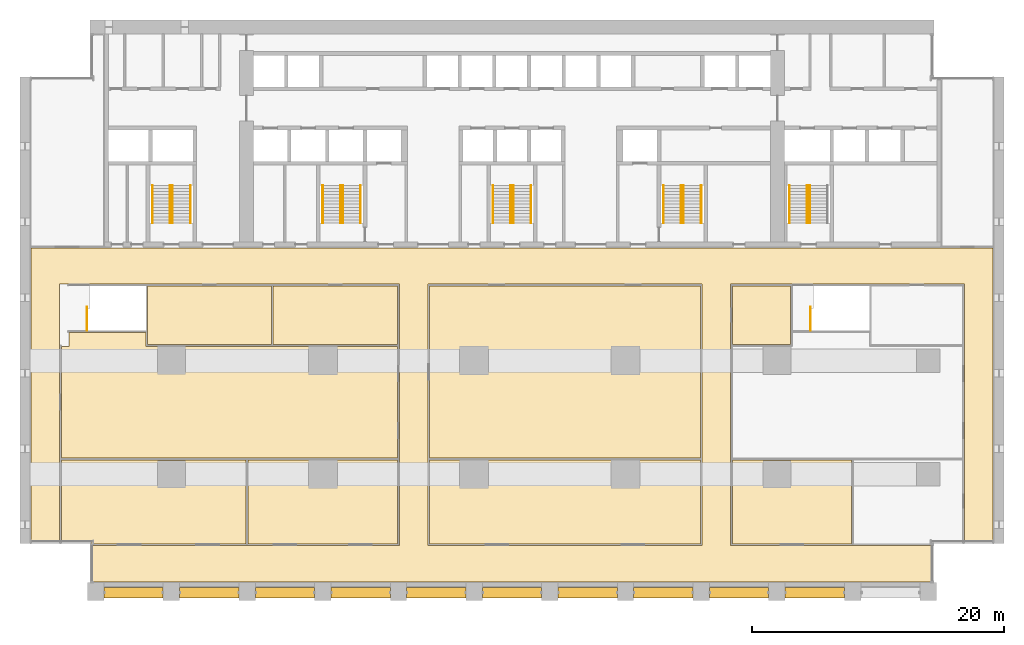
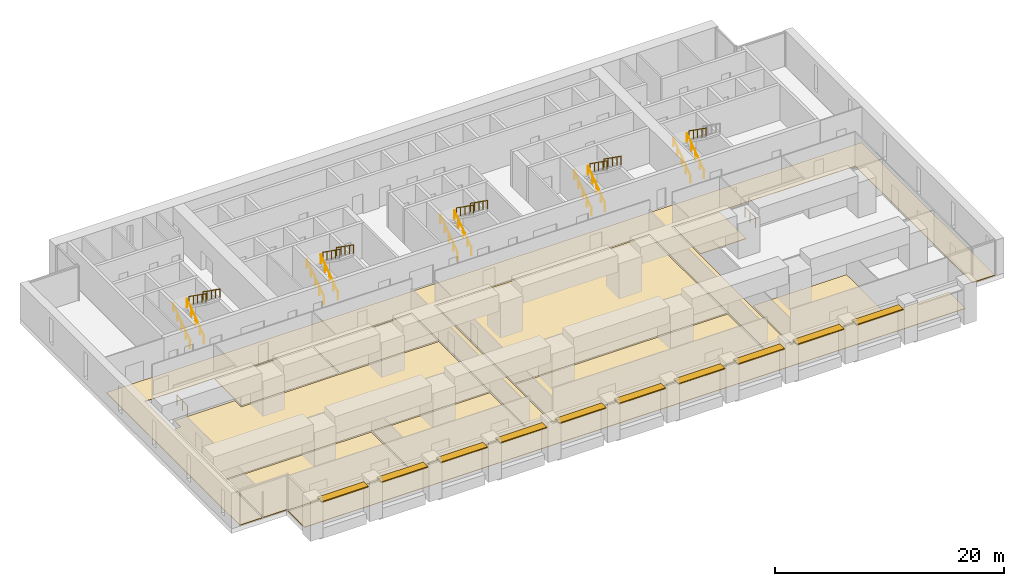
# One storey, part 16 of 17: 21 railings, 10 coverings, 10 shading devices, 5 elements without a shape of their own.
"""IFC4 building model written with IfcOpenShell, lengths in metres."""

from ifc_helpers import new_model, si_unit, direction, frame, origin, origin_2d, place, context, subcontext, project, spatial, polyline, rectangle, circle, outline, extrude, material, layer, layer_set, material_profile, profile_set, type_object, element, aggregate, save


model = new_model("IFC4")

# Units and contexts
model_context = context("Model", 3, precision=1e-05, world=origin(), true_north=direction((0.0, 1.0)))
body_context = subcontext(model_context, "Body", "Model", "MODEL_VIEW")
ifc_project = project(units=[si_unit("LENGTHUNIT", "METRE"), si_unit("AREAUNIT", "SQUARE_METRE"), si_unit("VOLUMEUNIT", "CUBIC_METRE"), si_unit("PLANEANGLEUNIT", "RADIAN"), si_unit("MASSUNIT", "GRAM", prefix="KILO")], contexts=[model_context])

# Site, building, storey
site_placement = place(None, origin())
site = spatial("IfcSite", under=ifc_project, at=site_placement, CompositionType="ELEMENT")
building_placement = place(site_placement, origin())
building = spatial("IfcBuilding", under=site, at=building_placement, Name="Calvaro Tower", CompositionType="ELEMENT")
storey_placement = place(building_placement, frame((0.0, 0.0, 17.89990234375)))
storey = spatial("IfcBuildingStorey", under=building, at=storey_placement, Name="L03", CompositionType="ELEMENT", Elevation=17.89990234375)

# Shading devices
ifc_material_1 = material(Name="Anodised aluminium", Category="aluminium")
ifc_material_profile = material_profile(ifc_material_1, rectangle(XDim=0.800048828125, YDim=0.10009765625, at=origin_2d()), Name="Brise-soleil blade 800 x 100")
ifc_profile_set = profile_set([ifc_material_profile], Name="Anodised aluminium")
shading_device_type = type_object("IfcShadingDeviceType", Name="Brise-soleil blade 800 x 100", PredefinedType="JALOUSIE", material=ifc_profile_set)
for number, where, z_axis, x_axis, name in (
    (1, (6.64990234375, 0.60009765625, 3.150146484375), (1.0, 0.0, 0.0), (0.0, 1.0, 0.0), "Brise-soleil blade 1"),
    (2, (12.64990234375, 0.60009765625, 3.150146484375), (1.0, 0.0, 0.0), (0.0, 1.0, 0.0), "Brise-soleil blade 2"),
    (3, (18.64990234375, 0.60009765625, 3.150146484375), (1.0, 0.0, 0.0), (0.0, 1.0, 0.0), "Brise-soleil blade 3"),
    (4, (24.64990234375, 0.60009765625, 3.150146484375), (1.0, 0.0, 0.0), (0.0, 1.0, 0.0), "Brise-soleil blade 4"),
    (5, (30.64990234375, 0.60009765625, 3.150146484375), (1.0, 0.0, 0.0), (0.0, 1.0, 0.0), "Brise-soleil blade 5"),
    (6, (36.64990234375, 0.60009765625, 3.150146484375), (1.0, 0.0, 0.0), (0.0, 1.0, 0.0), "Brise-soleil blade 6"),
    (7, (42.64990234375, 0.60009765625, 3.150146484375), (1.0, 0.0, 0.0), (0.0, 1.0, 0.0), "Brise-soleil blade 7"),
    (8, (48.64990234375, 0.60009765625, 3.150146484375), (1.0, 0.0, 0.0), (0.0, 1.0, 0.0), "Brise-soleil blade 8"),
    (9, (54.64990234375, 0.60009765625, 3.150146484375), (1.0, 0.0, 0.0), (0.0, 1.0, 0.0), "Brise-soleil blade 9"),
    (10, (60.64990234375, 0.60009765625, 3.150146484375), (1.0, 0.0, 0.0), (0.0, 1.0, 0.0), "Brise-soleil blade 10"),
):
    element("IfcShadingDevice", number, at=place(storey_placement, frame(where, z_axis=z_axis, x_axis=x_axis)), inside=storey, type_object=shading_device_type, Name=name, PredefinedType="JALOUSIE", context=body_context, shape_type="SweptSolid", body=[
        extrude(rectangle(XDim=0.800048828125, YDim=0.10009765625, at=origin_2d()), origin(), (0.0, 0.0, 1.0), 4.7001953125),
    ])

# Coverings
ifc_material_2 = material(Name="Cement screed with carpet tile finish")
ifc_layer = layer(ifc_material_2, 0.050048828125)
ifc_layer_set = layer_set([ifc_layer], Name="Cement screed with carpet tile finish")
covering_type = type_object("IfcCoveringType", Name="Floor finish 50", PredefinedType="FLOORING", material=ifc_layer_set)
covering_1_placement = place(storey_placement, origin())
element("IfcCovering", 11, at=covering_1_placement, inside=storey, type_object=covering_type, Name="Floor finish 06.01", PredefinedType="FLOORING", context=body_context, shape_type="SweptSolid", body=[
    extrude(outline(polyline([(5.6201171875, 1.469970703125), (5.6201171875, 4.330078125), (30.070068359375, 4.330078125), (30.070068359375, 25.070068359375), (3.1298828125, 25.070068359375), (3.1298828125, 4.570068359375), (0.8701171875, 4.570068359375), (0.8701171875, 27.929931640625), (77.1298828125, 27.929931640625), (77.1298828125, 4.570068359375), (74.8701171875, 4.570068359375), (74.8701171875, 25.070068359375), (56.330078125, 25.070068359375), (56.330078125, 4.330078125), (72.3798828125, 4.330078125), (72.3798828125, 1.469970703125), (5.6201171875, 1.469970703125)]), holes=[polyline([(54.070068359375, 4.330078125), (54.070068359375, 25.070068359375), (32.330078125, 25.070068359375), (32.330078125, 4.330078125), (54.070068359375, 4.330078125)])]), origin(), (0.0, 0.0, 1.0), 0.050048828125),
])
covering_2_placement = place(storey_placement, origin())
element("IfcCovering", 12, at=covering_2_placement, inside=storey, type_object=covering_type, Name="Floor finish 06.02", PredefinedType="FLOORING", context=body_context, shape_type="SweptSolid", body=[
    extrude(outline(polyline([(3.27001953125, 11.1298828125), (17.929931640625, 11.1298828125), (17.929931640625, 4.469970703125), (5.6201171875, 4.469970703125), (5.6201171875, 4.570068359375), (3.27001953125, 4.570068359375), (3.27001953125, 11.1298828125)])), origin(), (0.0, 0.0, 1.0), 0.050048828125),
])
covering_3_placement = place(storey_placement, origin())
element("IfcCovering", 13, at=covering_3_placement, inside=storey, type_object=covering_type, Name="Floor finish 06.03", PredefinedType="FLOORING", context=body_context, shape_type="SweptSolid", body=[
    extrude(outline(polyline([(18.070068359375, 4.469970703125), (18.070068359375, 11.1298828125), (29.929931640625, 11.1298828125), (29.929931640625, 4.469970703125), (18.070068359375, 4.469970703125)])), origin(), (0.0, 0.0, 1.0), 0.050048828125),
])
covering_4_placement = place(storey_placement, origin())
element("IfcCovering", 14, at=covering_4_placement, inside=storey, type_object=covering_type, Name="Floor finish 06.07", PredefinedType="FLOORING", context=body_context, shape_type="SweptSolid", body=[
    extrude(outline(polyline([(3.27001953125, 20.1298828125), (3.8701171875, 20.1298828125), (3.8701171875, 21.22998046875), (9.97998046875, 21.22998046875), (9.97998046875, 20.1298828125), (29.929931640625, 20.1298828125), (29.929931640625, 11.27001953125), (3.27001953125, 11.27001953125), (3.27001953125, 20.1298828125)])), origin(), (0.0, 0.0, 1.0), 0.050048828125),
])
covering_5_placement = place(storey_placement, origin())
element("IfcCovering", 15, at=covering_5_placement, inside=storey, type_object=covering_type, Name="Floor finish 06.10", PredefinedType="FLOORING", context=body_context, shape_type="SweptSolid", body=[
    extrude(outline(polyline([(10.1201171875, 20.27001953125), (10.1201171875, 24.929931640625), (19.929931640625, 24.929931640625), (19.929931640625, 20.27001953125), (10.1201171875, 20.27001953125)])), origin(), (0.0, 0.0, 1.0), 0.050048828125),
])
covering_6_placement = place(storey_placement, origin())
element("IfcCovering", 16, at=covering_6_placement, inside=storey, type_object=covering_type, Name="Floor finish 06.11", PredefinedType="FLOORING", context=body_context, shape_type="SweptSolid", body=[
    extrude(outline(polyline([(20.070068359375, 20.27001953125), (20.070068359375, 24.929931640625), (29.929931640625, 24.929931640625), (29.929931640625, 20.27001953125), (20.070068359375, 20.27001953125)])), origin(), (0.0, 0.0, 1.0), 0.050048828125),
])
covering_7_placement = place(storey_placement, origin())
element("IfcCovering", 17, at=covering_7_placement, inside=storey, type_object=covering_type, Name="Floor finish 06.04", PredefinedType="FLOORING", context=body_context, shape_type="SweptSolid", body=[
    extrude(outline(polyline([(32.469970703125, 4.469970703125), (32.469970703125, 11.1298828125), (53.929931640625, 11.1298828125), (53.929931640625, 4.469970703125), (32.469970703125, 4.469970703125)])), origin(), (0.0, 0.0, 1.0), 0.050048828125),
])
covering_8_placement = place(storey_placement, origin())
element("IfcCovering", 18, at=covering_8_placement, inside=storey, type_object=covering_type, Name="Floor finish 06.09", PredefinedType="FLOORING", context=body_context, shape_type="SweptSolid", body=[
    extrude(outline(polyline([(32.469970703125, 11.27001953125), (32.469970703125, 24.929931640625), (53.929931640625, 24.929931640625), (53.929931640625, 11.27001953125), (32.469970703125, 11.27001953125)])), origin(), (0.0, 0.0, 1.0), 0.050048828125),
])
covering_9_placement = place(storey_placement, origin())
element("IfcCovering", 19, at=covering_9_placement, inside=storey, type_object=covering_type, Name="Floor finish 06.05", PredefinedType="FLOORING", context=body_context, shape_type="SweptSolid", body=[
    extrude(outline(polyline([(56.469970703125, 4.469970703125), (56.469970703125, 11.1298828125), (65.929931640625, 11.1298828125), (65.929931640625, 4.469970703125), (56.469970703125, 4.469970703125)])), origin(), (0.0, 0.0, 1.0), 0.050048828125),
])
covering_10_placement = place(storey_placement, origin())
element("IfcCovering", 20, at=covering_10_placement, inside=storey, type_object=covering_type, Name="Floor finish 06.12", PredefinedType="FLOORING", context=body_context, shape_type="SweptSolid", body=[
    extrude(outline(polyline([(56.469970703125, 20.27001953125), (56.469970703125, 24.929931640625), (61.080078125, 24.929931640625), (61.080078125, 20.27001953125), (56.469970703125, 20.27001953125)])), origin(), (0.0, 0.0, 1.0), 0.050048828125),
])

# Stair, railings
ifc_material_3 = material(Name="Concrete C40/50", Category="concrete")
stair_type = type_object("IfcStairType", Name="Exit stair 1400 2 flights", PredefinedType="HALF_TURN_STAIR", material=ifc_material_3)
stair_1_placement = place(storey_placement, origin())
stair_1 = element("IfcStair", 21, at=stair_1_placement, inside=storey, type_object=stair_type, Name="Exit stair S1", PredefinedType="HALF_TURN_STAIR")
ifc_material_4 = material(Name="Stainless steel", Category="steel")
railing_type_1 = type_object("IfcRailingType", Name="Stair handrail", PredefinedType="HANDRAIL", material=ifc_material_4)
railing_1_placement = place(storey_placement, frame((11.89990234375, 29.89990234375, 0.177001953125)))
railing_1 = element("IfcRailing", 22, at=railing_1_placement, type_object=railing_type_1, Name="Exit stair 1 handrail", PredefinedType="HANDRAIL", context=body_context, shape_type="SweptSolid", body=[
    extrude(circle(Radius=0.02392578125, at=origin_2d()), frame((0.0, 0.0, 0.8759765625), z_axis=(0.0, 0.816275066873, 0.577663409955), x_axis=(-1.0, 0.0, 0.0)), (0.0, 0.0, 1.0), 3.67529296875),
    extrude(circle(Radius=0.02099609375, at=origin_2d()), frame((0.0, 0.01708984375, 0.01220703125)), (0.0, 0.0, 1.0), 0.851806640625),
    extrude(circle(Radius=0.02099609375, at=origin_2d()), frame((0.0, 0.75, 0.53076171875)), (0.0, 0.0, 1.0), 0.851806640625),
    extrude(circle(Radius=0.02099609375, at=origin_2d()), frame((0.0, 1.5, 1.0615234375)), (0.0, 0.0, 1.0), 0.851806640625),
    extrude(circle(Radius=0.02099609375, at=origin_2d()), frame((0.0, 2.25, 1.59228515625)), (0.0, 0.0, 1.0), 0.851806640625),
    extrude(circle(Radius=0.02099609375, at=origin_2d()), frame((0.0, 2.98291015625, 2.11083984375)), (0.0, 0.0, 1.0), 0.851806640625),
])
railing_2_placement = place(storey_placement, frame((10.5, 29.89990234375, 0.177001953125)))
railing_2 = element("IfcRailing", 23, at=railing_2_placement, type_object=railing_type_1, Name="Exit stair 1 handrail", PredefinedType="HANDRAIL", context=body_context, shape_type="SweptSolid", body=[
    extrude(circle(Radius=0.02392578125, at=origin_2d()), frame((0.0, 0.0, 0.8759765625), z_axis=(0.0, 0.816275066873, 0.577663409955), x_axis=(-1.0, 0.0, 0.0)), (0.0, 0.0, 1.0), 3.67529296875),
    extrude(circle(Radius=0.02099609375, at=origin_2d()), frame((0.0, 0.01708984375, 0.01220703125)), (0.0, 0.0, 1.0), 0.851806640625),
    extrude(circle(Radius=0.02099609375, at=origin_2d()), frame((0.0, 0.75, 0.53076171875)), (0.0, 0.0, 1.0), 0.851806640625),
    extrude(circle(Radius=0.02099609375, at=origin_2d()), frame((0.0, 1.5, 1.0615234375)), (0.0, 0.0, 1.0), 0.851806640625),
    extrude(circle(Radius=0.02099609375, at=origin_2d()), frame((0.0, 2.25, 1.59228515625)), (0.0, 0.0, 1.0), 0.851806640625),
    extrude(circle(Radius=0.02099609375, at=origin_2d()), frame((0.0, 2.98291015625, 2.11083984375)), (0.0, 0.0, 1.0), 0.851806640625),
])
railing_3_placement = place(storey_placement, frame((12.10009765625, 32.89990234375, 2.47705078125)))
railing_3 = element("IfcRailing", 24, at=railing_3_placement, type_object=railing_type_1, Name="Exit stair 1 handrail", PredefinedType="HANDRAIL", context=body_context, shape_type="SweptSolid", body=[
    extrude(circle(Radius=0.02392578125, at=origin_2d()), frame((0.0, 0.0, 0.8759765625), z_axis=(0.0, -0.816275066873, 0.577663409955), x_axis=(1.0, 0.0, 0.0)), (0.0, 0.0, 1.0), 3.67529296875),
    extrude(circle(Radius=0.02099609375, at=origin_2d()), frame((0.0, -0.01708984375, 0.01220703125)), (0.0, 0.0, 1.0), 0.851806640625),
    extrude(circle(Radius=0.02099609375, at=origin_2d()), frame((0.0, -0.75, 0.53076171875)), (0.0, 0.0, 1.0), 0.851806640625),
    extrude(circle(Radius=0.02099609375, at=origin_2d()), frame((0.0, -1.5, 1.0615234375)), (0.0, 0.0, 1.0), 0.851806640625),
    extrude(circle(Radius=0.02099609375, at=origin_2d()), frame((0.0, -2.25, 1.59228515625)), (0.0, 0.0, 1.0), 0.851806640625),
    extrude(circle(Radius=0.02099609375, at=origin_2d()), frame((0.0, -2.98291015625, 2.11083984375)), (0.0, 0.0, 1.0), 0.851806640625),
])
railing_4_placement = place(storey_placement, frame((13.5, 32.89990234375, 2.47705078125)))
railing_4 = element("IfcRailing", 25, at=railing_4_placement, type_object=railing_type_1, Name="Exit stair 1 handrail", PredefinedType="HANDRAIL", context=body_context, shape_type="SweptSolid", body=[
    extrude(circle(Radius=0.02392578125, at=origin_2d()), frame((0.0, 0.0, 0.8759765625), z_axis=(0.0, -0.816275066873, 0.577663409955), x_axis=(1.0, 0.0, 0.0)), (0.0, 0.0, 1.0), 3.67529296875),
    extrude(circle(Radius=0.02099609375, at=origin_2d()), frame((0.0, -0.01708984375, 0.01220703125)), (0.0, 0.0, 1.0), 0.851806640625),
    extrude(circle(Radius=0.02099609375, at=origin_2d()), frame((0.0, -0.75, 0.53076171875)), (0.0, 0.0, 1.0), 0.851806640625),
    extrude(circle(Radius=0.02099609375, at=origin_2d()), frame((0.0, -1.5, 1.0615234375)), (0.0, 0.0, 1.0), 0.851806640625),
    extrude(circle(Radius=0.02099609375, at=origin_2d()), frame((0.0, -2.25, 1.59228515625)), (0.0, 0.0, 1.0), 0.851806640625),
    extrude(circle(Radius=0.02099609375, at=origin_2d()), frame((0.0, -2.98291015625, 2.11083984375)), (0.0, 0.0, 1.0), 0.851806640625),
])
aggregate(stair_1, [railing_1, railing_2, railing_3, railing_4])

stair_2_placement = place(storey_placement, origin())
stair_2 = element("IfcStair", 26, at=stair_2_placement, inside=storey, type_object=stair_type, Name="Exit stair S2", PredefinedType="HALF_TURN_STAIR")
railing_5_placement = place(storey_placement, frame((25.39990234375, 29.89990234375, 0.177001953125)))
railing_5 = element("IfcRailing", 27, at=railing_5_placement, type_object=railing_type_1, Name="Exit stair 2 handrail", PredefinedType="HANDRAIL", context=body_context, shape_type="SweptSolid", body=[
    extrude(circle(Radius=0.02392578125, at=origin_2d()), frame((0.0, 0.0, 0.8759765625), z_axis=(0.0, 0.816275066873, 0.577663409955), x_axis=(-1.0, 0.0, 0.0)), (0.0, 0.0, 1.0), 3.67529296875),
    extrude(circle(Radius=0.02099609375, at=origin_2d()), frame((0.0, 0.01708984375, 0.01220703125)), (0.0, 0.0, 1.0), 0.851806640625),
    extrude(circle(Radius=0.02099609375, at=origin_2d()), frame((0.0, 0.75, 0.53076171875)), (0.0, 0.0, 1.0), 0.851806640625),
    extrude(circle(Radius=0.02099609375, at=origin_2d()), frame((0.0, 1.5, 1.0615234375)), (0.0, 0.0, 1.0), 0.851806640625),
    extrude(circle(Radius=0.02099609375, at=origin_2d()), frame((0.0, 2.25, 1.59228515625)), (0.0, 0.0, 1.0), 0.851806640625),
    extrude(circle(Radius=0.02099609375, at=origin_2d()), frame((0.0, 2.98291015625, 2.11083984375)), (0.0, 0.0, 1.0), 0.851806640625),
])
railing_6_placement = place(storey_placement, frame((24.0, 29.89990234375, 0.177001953125)))
railing_6 = element("IfcRailing", 28, at=railing_6_placement, type_object=railing_type_1, Name="Exit stair 2 handrail", PredefinedType="HANDRAIL", context=body_context, shape_type="SweptSolid", body=[
    extrude(circle(Radius=0.02392578125, at=origin_2d()), frame((0.0, 0.0, 0.8759765625), z_axis=(0.0, 0.816275066873, 0.577663409955), x_axis=(-1.0, 0.0, 0.0)), (0.0, 0.0, 1.0), 3.67529296875),
    extrude(circle(Radius=0.02099609375, at=origin_2d()), frame((0.0, 0.01708984375, 0.01220703125)), (0.0, 0.0, 1.0), 0.851806640625),
    extrude(circle(Radius=0.02099609375, at=origin_2d()), frame((0.0, 0.75, 0.53076171875)), (0.0, 0.0, 1.0), 0.851806640625),
    extrude(circle(Radius=0.02099609375, at=origin_2d()), frame((0.0, 1.5, 1.0615234375)), (0.0, 0.0, 1.0), 0.851806640625),
    extrude(circle(Radius=0.02099609375, at=origin_2d()), frame((0.0, 2.25, 1.59228515625)), (0.0, 0.0, 1.0), 0.851806640625),
    extrude(circle(Radius=0.02099609375, at=origin_2d()), frame((0.0, 2.98291015625, 2.11083984375)), (0.0, 0.0, 1.0), 0.851806640625),
])
railing_7_placement = place(storey_placement, frame((25.60009765625, 32.89990234375, 2.47705078125)))
railing_7 = element("IfcRailing", 29, at=railing_7_placement, type_object=railing_type_1, Name="Exit stair 2 handrail", PredefinedType="HANDRAIL", context=body_context, shape_type="SweptSolid", body=[
    extrude(circle(Radius=0.02392578125, at=origin_2d()), frame((0.0, 0.0, 0.8759765625), z_axis=(0.0, -0.816275066873, 0.577663409955), x_axis=(1.0, 0.0, 0.0)), (0.0, 0.0, 1.0), 3.67529296875),
    extrude(circle(Radius=0.02099609375, at=origin_2d()), frame((0.0, -0.01708984375, 0.01220703125)), (0.0, 0.0, 1.0), 0.851806640625),
    extrude(circle(Radius=0.02099609375, at=origin_2d()), frame((0.0, -0.75, 0.53076171875)), (0.0, 0.0, 1.0), 0.851806640625),
    extrude(circle(Radius=0.02099609375, at=origin_2d()), frame((0.0, -1.5, 1.0615234375)), (0.0, 0.0, 1.0), 0.851806640625),
    extrude(circle(Radius=0.02099609375, at=origin_2d()), frame((0.0, -2.25, 1.59228515625)), (0.0, 0.0, 1.0), 0.851806640625),
    extrude(circle(Radius=0.02099609375, at=origin_2d()), frame((0.0, -2.98291015625, 2.11083984375)), (0.0, 0.0, 1.0), 0.851806640625),
])
railing_8_placement = place(storey_placement, frame((27.0, 32.89990234375, 2.47705078125)))
railing_8 = element("IfcRailing", 30, at=railing_8_placement, type_object=railing_type_1, Name="Exit stair 2 handrail", PredefinedType="HANDRAIL", context=body_context, shape_type="SweptSolid", body=[
    extrude(circle(Radius=0.02392578125, at=origin_2d()), frame((0.0, 0.0, 0.8759765625), z_axis=(0.0, -0.816275066873, 0.577663409955), x_axis=(1.0, 0.0, 0.0)), (0.0, 0.0, 1.0), 3.67529296875),
    extrude(circle(Radius=0.02099609375, at=origin_2d()), frame((0.0, -0.01708984375, 0.01220703125)), (0.0, 0.0, 1.0), 0.851806640625),
    extrude(circle(Radius=0.02099609375, at=origin_2d()), frame((0.0, -0.75, 0.53076171875)), (0.0, 0.0, 1.0), 0.851806640625),
    extrude(circle(Radius=0.02099609375, at=origin_2d()), frame((0.0, -1.5, 1.0615234375)), (0.0, 0.0, 1.0), 0.851806640625),
    extrude(circle(Radius=0.02099609375, at=origin_2d()), frame((0.0, -2.25, 1.59228515625)), (0.0, 0.0, 1.0), 0.851806640625),
    extrude(circle(Radius=0.02099609375, at=origin_2d()), frame((0.0, -2.98291015625, 2.11083984375)), (0.0, 0.0, 1.0), 0.851806640625),
])
aggregate(stair_2, [railing_5, railing_6, railing_7, railing_8])

stair_3_placement = place(storey_placement, origin())
stair_3 = element("IfcStair", 31, at=stair_3_placement, inside=storey, type_object=stair_type, Name="Exit stair S3", PredefinedType="HALF_TURN_STAIR")
railing_9_placement = place(storey_placement, frame((38.89990234375, 29.89990234375, 0.177001953125)))
railing_9 = element("IfcRailing", 32, at=railing_9_placement, type_object=railing_type_1, Name="Exit stair 3 handrail", PredefinedType="HANDRAIL", context=body_context, shape_type="SweptSolid", body=[
    extrude(circle(Radius=0.02392578125, at=origin_2d()), frame((0.0, 0.0, 0.8759765625), z_axis=(0.0, 0.816275066873, 0.577663409955), x_axis=(-1.0, 0.0, 0.0)), (0.0, 0.0, 1.0), 3.67529296875),
    extrude(circle(Radius=0.02099609375, at=origin_2d()), frame((0.0, 0.01708984375, 0.01220703125)), (0.0, 0.0, 1.0), 0.851806640625),
    extrude(circle(Radius=0.02099609375, at=origin_2d()), frame((0.0, 0.75, 0.53076171875)), (0.0, 0.0, 1.0), 0.851806640625),
    extrude(circle(Radius=0.02099609375, at=origin_2d()), frame((0.0, 1.5, 1.0615234375)), (0.0, 0.0, 1.0), 0.851806640625),
    extrude(circle(Radius=0.02099609375, at=origin_2d()), frame((0.0, 2.25, 1.59228515625)), (0.0, 0.0, 1.0), 0.851806640625),
    extrude(circle(Radius=0.02099609375, at=origin_2d()), frame((0.0, 2.98291015625, 2.11083984375)), (0.0, 0.0, 1.0), 0.851806640625),
])
railing_10_placement = place(storey_placement, frame((37.5, 29.89990234375, 0.177001953125)))
railing_10 = element("IfcRailing", 33, at=railing_10_placement, type_object=railing_type_1, Name="Exit stair 3 handrail", PredefinedType="HANDRAIL", context=body_context, shape_type="SweptSolid", body=[
    extrude(circle(Radius=0.02392578125, at=origin_2d()), frame((0.0, 0.0, 0.8759765625), z_axis=(0.0, 0.816275066873, 0.577663409955), x_axis=(-1.0, 0.0, 0.0)), (0.0, 0.0, 1.0), 3.67529296875),
    extrude(circle(Radius=0.02099609375, at=origin_2d()), frame((0.0, 0.01708984375, 0.01220703125)), (0.0, 0.0, 1.0), 0.851806640625),
    extrude(circle(Radius=0.02099609375, at=origin_2d()), frame((0.0, 0.75, 0.53076171875)), (0.0, 0.0, 1.0), 0.851806640625),
    extrude(circle(Radius=0.02099609375, at=origin_2d()), frame((0.0, 1.5, 1.0615234375)), (0.0, 0.0, 1.0), 0.851806640625),
    extrude(circle(Radius=0.02099609375, at=origin_2d()), frame((0.0, 2.25, 1.59228515625)), (0.0, 0.0, 1.0), 0.851806640625),
    extrude(circle(Radius=0.02099609375, at=origin_2d()), frame((0.0, 2.98291015625, 2.11083984375)), (0.0, 0.0, 1.0), 0.851806640625),
])
railing_11_placement = place(storey_placement, frame((39.10009765625, 32.89990234375, 2.47705078125)))
railing_11 = element("IfcRailing", 34, at=railing_11_placement, type_object=railing_type_1, Name="Exit stair 3 handrail", PredefinedType="HANDRAIL", context=body_context, shape_type="SweptSolid", body=[
    extrude(circle(Radius=0.02392578125, at=origin_2d()), frame((0.0, 0.0, 0.8759765625), z_axis=(0.0, -0.816275066873, 0.577663409955), x_axis=(1.0, 0.0, 0.0)), (0.0, 0.0, 1.0), 3.67529296875),
    extrude(circle(Radius=0.02099609375, at=origin_2d()), frame((0.0, -0.01708984375, 0.01220703125)), (0.0, 0.0, 1.0), 0.851806640625),
    extrude(circle(Radius=0.02099609375, at=origin_2d()), frame((0.0, -0.75, 0.53076171875)), (0.0, 0.0, 1.0), 0.851806640625),
    extrude(circle(Radius=0.02099609375, at=origin_2d()), frame((0.0, -1.5, 1.0615234375)), (0.0, 0.0, 1.0), 0.851806640625),
    extrude(circle(Radius=0.02099609375, at=origin_2d()), frame((0.0, -2.25, 1.59228515625)), (0.0, 0.0, 1.0), 0.851806640625),
    extrude(circle(Radius=0.02099609375, at=origin_2d()), frame((0.0, -2.98291015625, 2.11083984375)), (0.0, 0.0, 1.0), 0.851806640625),
])
railing_12_placement = place(storey_placement, frame((40.5, 32.89990234375, 2.47705078125)))
railing_12 = element("IfcRailing", 35, at=railing_12_placement, type_object=railing_type_1, Name="Exit stair 3 handrail", PredefinedType="HANDRAIL", context=body_context, shape_type="SweptSolid", body=[
    extrude(circle(Radius=0.02392578125, at=origin_2d()), frame((0.0, 0.0, 0.8759765625), z_axis=(0.0, -0.816275066873, 0.577663409955), x_axis=(1.0, 0.0, 0.0)), (0.0, 0.0, 1.0), 3.67529296875),
    extrude(circle(Radius=0.02099609375, at=origin_2d()), frame((0.0, -0.01708984375, 0.01220703125)), (0.0, 0.0, 1.0), 0.851806640625),
    extrude(circle(Radius=0.02099609375, at=origin_2d()), frame((0.0, -0.75, 0.53076171875)), (0.0, 0.0, 1.0), 0.851806640625),
    extrude(circle(Radius=0.02099609375, at=origin_2d()), frame((0.0, -1.5, 1.0615234375)), (0.0, 0.0, 1.0), 0.851806640625),
    extrude(circle(Radius=0.02099609375, at=origin_2d()), frame((0.0, -2.25, 1.59228515625)), (0.0, 0.0, 1.0), 0.851806640625),
    extrude(circle(Radius=0.02099609375, at=origin_2d()), frame((0.0, -2.98291015625, 2.11083984375)), (0.0, 0.0, 1.0), 0.851806640625),
])
aggregate(stair_3, [railing_9, railing_10, railing_11, railing_12])

stair_4_placement = place(storey_placement, origin())
stair_4 = element("IfcStair", 36, at=stair_4_placement, inside=storey, type_object=stair_type, Name="Exit stair S4", PredefinedType="HALF_TURN_STAIR")
railing_13_placement = place(storey_placement, frame((52.39990234375, 29.89990234375, 0.177001953125)))
railing_13 = element("IfcRailing", 37, at=railing_13_placement, type_object=railing_type_1, Name="Exit stair 4 handrail", PredefinedType="HANDRAIL", context=body_context, shape_type="SweptSolid", body=[
    extrude(circle(Radius=0.02392578125, at=origin_2d()), frame((0.0, 0.0, 0.8759765625), z_axis=(0.0, 0.816275066873, 0.577663409955), x_axis=(-1.0, 0.0, 0.0)), (0.0, 0.0, 1.0), 3.67529296875),
    extrude(circle(Radius=0.02099609375, at=origin_2d()), frame((0.0, 0.01708984375, 0.01220703125)), (0.0, 0.0, 1.0), 0.851806640625),
    extrude(circle(Radius=0.02099609375, at=origin_2d()), frame((0.0, 0.75, 0.53076171875)), (0.0, 0.0, 1.0), 0.851806640625),
    extrude(circle(Radius=0.02099609375, at=origin_2d()), frame((0.0, 1.5, 1.0615234375)), (0.0, 0.0, 1.0), 0.851806640625),
    extrude(circle(Radius=0.02099609375, at=origin_2d()), frame((0.0, 2.25, 1.59228515625)), (0.0, 0.0, 1.0), 0.851806640625),
    extrude(circle(Radius=0.02099609375, at=origin_2d()), frame((0.0, 2.98291015625, 2.11083984375)), (0.0, 0.0, 1.0), 0.851806640625),
])
railing_14_placement = place(storey_placement, frame((51.0, 29.89990234375, 0.177001953125)))
railing_14 = element("IfcRailing", 38, at=railing_14_placement, type_object=railing_type_1, Name="Exit stair 4 handrail", PredefinedType="HANDRAIL", context=body_context, shape_type="SweptSolid", body=[
    extrude(circle(Radius=0.02392578125, at=origin_2d()), frame((0.0, 0.0, 0.8759765625), z_axis=(0.0, 0.816275066873, 0.577663409955), x_axis=(-1.0, 0.0, 0.0)), (0.0, 0.0, 1.0), 3.67529296875),
    extrude(circle(Radius=0.02099609375, at=origin_2d()), frame((0.0, 0.01708984375, 0.01220703125)), (0.0, 0.0, 1.0), 0.851806640625),
    extrude(circle(Radius=0.02099609375, at=origin_2d()), frame((0.0, 0.75, 0.53076171875)), (0.0, 0.0, 1.0), 0.851806640625),
    extrude(circle(Radius=0.02099609375, at=origin_2d()), frame((0.0, 1.5, 1.0615234375)), (0.0, 0.0, 1.0), 0.851806640625),
    extrude(circle(Radius=0.02099609375, at=origin_2d()), frame((0.0, 2.25, 1.59228515625)), (0.0, 0.0, 1.0), 0.851806640625),
    extrude(circle(Radius=0.02099609375, at=origin_2d()), frame((0.0, 2.98291015625, 2.11083984375)), (0.0, 0.0, 1.0), 0.851806640625),
])
railing_15_placement = place(storey_placement, frame((52.60009765625, 32.89990234375, 2.47705078125)))
railing_15 = element("IfcRailing", 39, at=railing_15_placement, type_object=railing_type_1, Name="Exit stair 4 handrail", PredefinedType="HANDRAIL", context=body_context, shape_type="SweptSolid", body=[
    extrude(circle(Radius=0.02392578125, at=origin_2d()), frame((0.0, 0.0, 0.8759765625), z_axis=(0.0, -0.816275066873, 0.577663409955), x_axis=(1.0, 0.0, 0.0)), (0.0, 0.0, 1.0), 3.67529296875),
    extrude(circle(Radius=0.02099609375, at=origin_2d()), frame((0.0, -0.01708984375, 0.01220703125)), (0.0, 0.0, 1.0), 0.851806640625),
    extrude(circle(Radius=0.02099609375, at=origin_2d()), frame((0.0, -0.75, 0.53076171875)), (0.0, 0.0, 1.0), 0.851806640625),
    extrude(circle(Radius=0.02099609375, at=origin_2d()), frame((0.0, -1.5, 1.0615234375)), (0.0, 0.0, 1.0), 0.851806640625),
    extrude(circle(Radius=0.02099609375, at=origin_2d()), frame((0.0, -2.25, 1.59228515625)), (0.0, 0.0, 1.0), 0.851806640625),
    extrude(circle(Radius=0.02099609375, at=origin_2d()), frame((0.0, -2.98291015625, 2.11083984375)), (0.0, 0.0, 1.0), 0.851806640625),
])
railing_16_placement = place(storey_placement, frame((54.0, 32.89990234375, 2.47705078125)))
railing_16 = element("IfcRailing", 40, at=railing_16_placement, type_object=railing_type_1, Name="Exit stair 4 handrail", PredefinedType="HANDRAIL", context=body_context, shape_type="SweptSolid", body=[
    extrude(circle(Radius=0.02392578125, at=origin_2d()), frame((0.0, 0.0, 0.8759765625), z_axis=(0.0, -0.816275066873, 0.577663409955), x_axis=(1.0, 0.0, 0.0)), (0.0, 0.0, 1.0), 3.67529296875),
    extrude(circle(Radius=0.02099609375, at=origin_2d()), frame((0.0, -0.01708984375, 0.01220703125)), (0.0, 0.0, 1.0), 0.851806640625),
    extrude(circle(Radius=0.02099609375, at=origin_2d()), frame((0.0, -0.75, 0.53076171875)), (0.0, 0.0, 1.0), 0.851806640625),
    extrude(circle(Radius=0.02099609375, at=origin_2d()), frame((0.0, -1.5, 1.0615234375)), (0.0, 0.0, 1.0), 0.851806640625),
    extrude(circle(Radius=0.02099609375, at=origin_2d()), frame((0.0, -2.25, 1.59228515625)), (0.0, 0.0, 1.0), 0.851806640625),
    extrude(circle(Radius=0.02099609375, at=origin_2d()), frame((0.0, -2.98291015625, 2.11083984375)), (0.0, 0.0, 1.0), 0.851806640625),
])
aggregate(stair_4, [railing_13, railing_14, railing_15, railing_16])

stair_5_placement = place(storey_placement, origin())
stair_5 = element("IfcStair", 41, at=stair_5_placement, inside=storey, type_object=stair_type, Name="Exit stair S5", PredefinedType="HALF_TURN_STAIR")
railing_17_placement = place(storey_placement, frame((62.39990234375, 29.89990234375, 0.177001953125)))
railing_17 = element("IfcRailing", 42, at=railing_17_placement, type_object=railing_type_1, Name="Exit stair 5 handrail", PredefinedType="HANDRAIL", context=body_context, shape_type="SweptSolid", body=[
    extrude(circle(Radius=0.02392578125, at=origin_2d()), frame((0.0, 0.0, 0.8759765625), z_axis=(0.0, 0.816275066873, 0.577663409955), x_axis=(-1.0, 0.0, 0.0)), (0.0, 0.0, 1.0), 3.67529296875),
    extrude(circle(Radius=0.02099609375, at=origin_2d()), frame((0.0, 0.01708984375, 0.01220703125)), (0.0, 0.0, 1.0), 0.851806640625),
    extrude(circle(Radius=0.02099609375, at=origin_2d()), frame((0.0, 0.75, 0.53076171875)), (0.0, 0.0, 1.0), 0.851806640625),
    extrude(circle(Radius=0.02099609375, at=origin_2d()), frame((0.0, 1.5, 1.0615234375)), (0.0, 0.0, 1.0), 0.851806640625),
    extrude(circle(Radius=0.02099609375, at=origin_2d()), frame((0.0, 2.25, 1.59228515625)), (0.0, 0.0, 1.0), 0.851806640625),
    extrude(circle(Radius=0.02099609375, at=origin_2d()), frame((0.0, 2.98291015625, 2.11083984375)), (0.0, 0.0, 1.0), 0.851806640625),
])
railing_18_placement = place(storey_placement, frame((61.0, 29.89990234375, 0.177001953125)))
railing_18 = element("IfcRailing", 43, at=railing_18_placement, type_object=railing_type_1, Name="Exit stair 5 handrail", PredefinedType="HANDRAIL", context=body_context, shape_type="SweptSolid", body=[
    extrude(circle(Radius=0.02392578125, at=origin_2d()), frame((0.0, 0.0, 0.8759765625), z_axis=(0.0, 0.816275066873, 0.577663409955), x_axis=(-1.0, 0.0, 0.0)), (0.0, 0.0, 1.0), 3.67529296875),
    extrude(circle(Radius=0.02099609375, at=origin_2d()), frame((0.0, 0.01708984375, 0.01220703125)), (0.0, 0.0, 1.0), 0.851806640625),
    extrude(circle(Radius=0.02099609375, at=origin_2d()), frame((0.0, 0.75, 0.53076171875)), (0.0, 0.0, 1.0), 0.851806640625),
    extrude(circle(Radius=0.02099609375, at=origin_2d()), frame((0.0, 1.5, 1.0615234375)), (0.0, 0.0, 1.0), 0.851806640625),
    extrude(circle(Radius=0.02099609375, at=origin_2d()), frame((0.0, 2.25, 1.59228515625)), (0.0, 0.0, 1.0), 0.851806640625),
    extrude(circle(Radius=0.02099609375, at=origin_2d()), frame((0.0, 2.98291015625, 2.11083984375)), (0.0, 0.0, 1.0), 0.851806640625),
])
railing_19_placement = place(storey_placement, frame((62.60009765625, 32.89990234375, 2.47705078125)))
railing_19 = element("IfcRailing", 44, at=railing_19_placement, type_object=railing_type_1, Name="Exit stair 5 handrail", PredefinedType="HANDRAIL", context=body_context, shape_type="SweptSolid", body=[
    extrude(circle(Radius=0.02392578125, at=origin_2d()), frame((0.0, 0.0, 0.8759765625), z_axis=(0.0, -0.816275066873, 0.577663409955), x_axis=(1.0, 0.0, 0.0)), (0.0, 0.0, 1.0), 3.67529296875),
    extrude(circle(Radius=0.02099609375, at=origin_2d()), frame((0.0, -0.01708984375, 0.01220703125)), (0.0, 0.0, 1.0), 0.851806640625),
    extrude(circle(Radius=0.02099609375, at=origin_2d()), frame((0.0, -0.75, 0.53076171875)), (0.0, 0.0, 1.0), 0.851806640625),
    extrude(circle(Radius=0.02099609375, at=origin_2d()), frame((0.0, -1.5, 1.0615234375)), (0.0, 0.0, 1.0), 0.851806640625),
    extrude(circle(Radius=0.02099609375, at=origin_2d()), frame((0.0, -2.25, 1.59228515625)), (0.0, 0.0, 1.0), 0.851806640625),
    extrude(circle(Radius=0.02099609375, at=origin_2d()), frame((0.0, -2.98291015625, 2.11083984375)), (0.0, 0.0, 1.0), 0.851806640625),
])
aggregate(stair_5, [railing_17, railing_18, railing_19])

# Railings
ifc_material_5 = material(Name="Stainless steel", Category="steel")
railing_type_2 = type_object("IfcRailingType", Name="Stair top guard", PredefinedType="GUARDRAIL", material=ifc_material_5)
for number, where, name in (
    (45, (5.300048828125, 21.35009765625, 0.0), "Exit stair 6 top guard"),
    (46, (62.64990234375, 21.35009765625, 0.0), "Exit stair 7 top guard"),
):
    element("IfcRailing", number, at=place(storey_placement, frame(where)), inside=storey, type_object=railing_type_2, Name=name, PredefinedType="GUARDRAIL", context=body_context, shape_type="SweptSolid", body=[
        extrude(circle(Radius=0.02392578125, at=origin_2d()), frame((0.0, 0.0, 1.076171875), z_axis=(0.0, 1.0, 0.0), x_axis=(-1.0, 0.0, 0.0)), (0.0, 0.0, 1.0), 1.89990234375),
        extrude(circle(Radius=0.02099609375, at=origin_2d()), frame((0.0, 0.02099609375, 0.0)), (0.0, 0.0, 1.0), 1.052001953125),
        extrude(circle(Radius=0.02099609375, at=origin_2d()), frame((0.0, 0.949951171875, 0.0)), (0.0, 0.0, 1.0), 1.052001953125),
        extrude(circle(Radius=0.02099609375, at=origin_2d()), frame((0.0, 1.87890625, 0.0)), (0.0, 0.0, 1.0), 1.052001953125),
    ])

save(model, "model.ifc")
